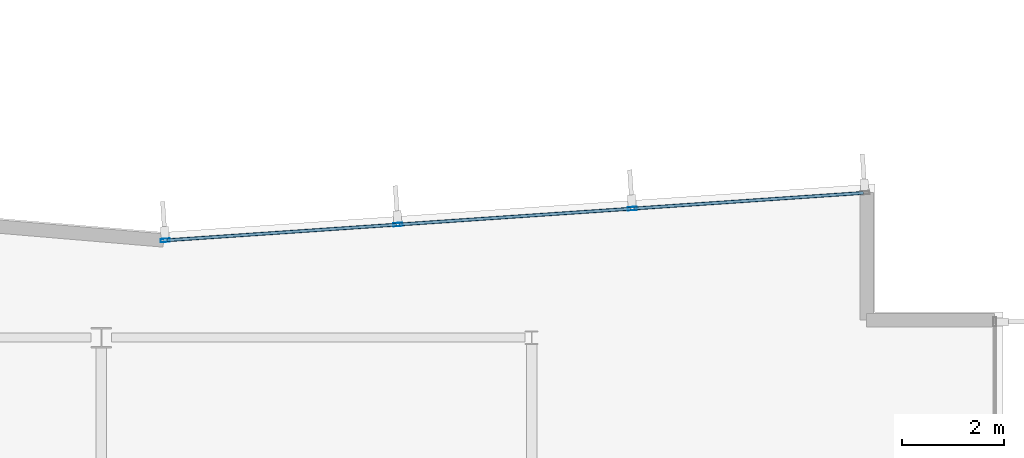
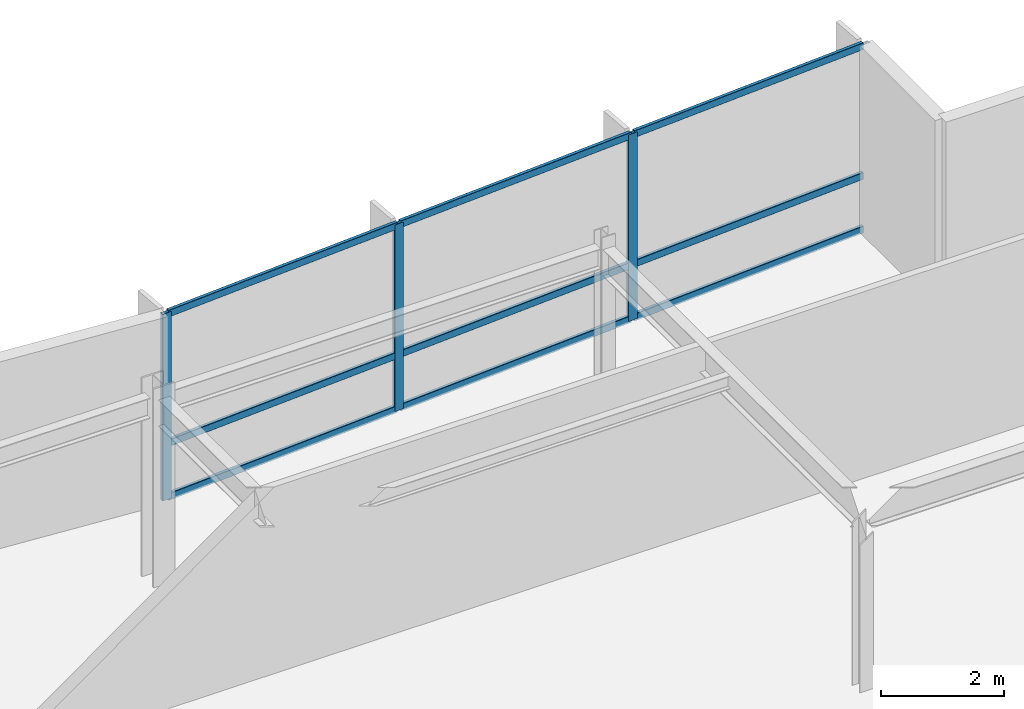
# One storey, part 7 of 16: 12 members, 1 element without a shape of its own.
"""IFC4 building model written with IfcOpenShell, lengths in metres."""

import ifcopenshell
import ifcopenshell.guid

model = None  # the IFC model being written
_history = None  # IfcOwnerHistory: only IFC2X3 demands one
_inside = {}  # id of a spatial element -> (the spatial element, [elements in it])
_under = {}  # id of a project, library or spatial element -> (it, [spatial elements below it])
_declared = {}  # id of a project -> (the project, [libraries it declares])
_typed = {}  # id of a type object -> (the type object, [elements of that type])
_made_of = {}  # id of a material, layer set ... -> (it, [elements and type objects made of it])


def new_model(schema):
    """Start an empty IFC model of exactly this schema.

    Asked for "IFC4X3", IfcOpenShell would pick the latest addendum, in which some entities
    have other attributes; the version numbers below select the first issue.
    IFC2X3 requires an IfcOwnerHistory on every rooted entity: one is made here for all.
    """
    global model, _history
    if schema == "IFC4X3":
        model = ifcopenshell.file(schema_version=(4, 3, 0, 0))
    else:
        model = ifcopenshell.file(schema=schema)
    _inside.clear()
    _under.clear()
    _declared.clear()
    _typed.clear()
    _made_of.clear()
    _history = None
    if model.schema == "IFC2X3":
        org = make("IfcOrganization", Name="unknown")
        user = make(
            "IfcPersonAndOrganization",
            ThePerson=make("IfcPerson", FamilyName="unknown"),
            TheOrganization=org,
        )
        app = make(
            "IfcApplication",
            ApplicationDeveloper=org,
            Version="unknown",
            ApplicationFullName="unknown",
            ApplicationIdentifier="unknown",
        )
        _history = make(
            "IfcOwnerHistory",
            OwningUser=user,
            OwningApplication=app,
            ChangeAction="ADDED",
            CreationDate=0,
        )
    return model


def make(cls, **values):
    """One entity of the class cls with the attributes given. An attribute that is None is left unset."""
    return model.create_entity(
        cls, **{name: value for name, value in values.items() if value is not None}
    )


def rooted(cls, **values):
    """An entity with a GlobalId (a new one), such as an element, a storey or a relation."""
    return make(cls, GlobalId=ifcopenshell.guid.new(), OwnerHistory=_history, **values)


def si_unit(unit_type, name, prefix=None):
    """IfcSIUnit, for example si_unit("LENGTHUNIT", "METRE", prefix="MILLI")."""
    return make("IfcSIUnit", UnitType=unit_type, Prefix=prefix, Name=name)


def assignment(units):
    """IfcUnitAssignment: the units of a project."""
    return None if units is None else make("IfcUnitAssignment", Units=units)


def point(xyz):
    """IfcCartesianPoint."""
    return None if xyz is None else make("IfcCartesianPoint", Coordinates=xyz)


def direction(xyz):
    """IfcDirection."""
    return None if xyz is None else make("IfcDirection", DirectionRatios=xyz)


def frame(location, z_axis=None, x_axis=None):
    """IfcAxis2Placement3D, a coordinate frame: its origin and axes. An axis left out is left unset."""
    return make(
        "IfcAxis2Placement3D",
        Location=point(location),
        Axis=direction(z_axis),
        RefDirection=direction(x_axis),
    )


def frame_2d(location, x_axis=None):
    """IfcAxis2Placement2D, a coordinate frame in the plane: its origin and x axis."""
    return make(
        "IfcAxis2Placement2D", Location=point(location), RefDirection=direction(x_axis)
    )


def origin():
    """The frame at (0, 0, 0) with its axes left unset."""
    return frame((0.0, 0.0, 0.0))


def origin_2d():
    """The frame at (0, 0) in the plane with its x axis left unset."""
    return frame_2d((0.0, 0.0))


def place(relative_to, where):
    """IfcLocalPlacement: puts the frame where relative to a parent placement (None: the world)."""
    return make(
        "IfcLocalPlacement", PlacementRelTo=relative_to, RelativePlacement=where
    )


def context(
    kind, dimensions, precision=None, world=None, true_north=None, identifier=None
):
    """IfcGeometricRepresentationContext, for example the 3D "Model" context."""
    return make(
        "IfcGeometricRepresentationContext",
        ContextIdentifier=identifier,
        ContextType=kind,
        CoordinateSpaceDimension=dimensions,
        Precision=precision,
        WorldCoordinateSystem=world,
        TrueNorth=true_north,
    )


def subcontext(parent, identifier, kind, view, scale=None):
    """IfcGeometricRepresentationSubContext, for example "Body" below "Model"."""
    return make(
        "IfcGeometricRepresentationSubContext",
        ContextIdentifier=identifier,
        ContextType=kind,
        ParentContext=parent,
        TargetScale=scale,
        TargetView=view,
    )


def project(units=None, contexts=None):
    """IfcProject with its units and contexts."""
    return rooted(
        "IfcProject",
        Name="project",
        RepresentationContexts=contexts,
        UnitsInContext=assignment(units),
    )


def spatial(cls, under=None, at=None, **own):
    """A site, building, storey or space (cls), placed at a placement, below another one or the project."""
    s = rooted(cls, ObjectPlacement=at, **own)
    if under is not None:
        _under.setdefault(under.id(), (under, []))[1].append(s)
    return s


def profile(cls, at=None, kind="AREA", **sizes):
    """A parametric profile (cls). Its sizes go by their IFC names, for example OverallWidth=200.0."""
    return make(cls, ProfileType=kind, Position=at, **sizes)


def hollow_rectangle(**sizes):
    """IfcRectangleHollowProfileDef."""
    return profile("IfcRectangleHollowProfileDef", **sizes)


def extrude(swept, where, along, depth):
    """IfcExtrudedAreaSolid: the profile swept, set in the frame where, extruded along a direction by depth."""
    return make(
        "IfcExtrudedAreaSolid",
        SweptArea=swept,
        Position=where,
        ExtrudedDirection=direction(along),
        Depth=depth,
    )


def shape(context_of_items, identifier, shape_type, items):
    """IfcShapeRepresentation: the items that make up one representation, for example the "Body"."""
    return make(
        "IfcShapeRepresentation",
        ContextOfItems=context_of_items,
        RepresentationIdentifier=identifier,
        RepresentationType=shape_type,
        Items=items,
    )


def material(Name=None, Category=None):
    """IfcMaterial."""
    return make("IfcMaterial", Name=Name, Category=Category)


def layer(
    of_material, thickness, ventilated=None, Name=None, Category=None, Priority=None
):
    """IfcMaterialLayer: one layer of a wall or slab, of a material (None: an air gap)."""
    return make(
        "IfcMaterialLayer",
        Material=of_material,
        LayerThickness=thickness,
        IsVentilated=ventilated,
        Name=Name,
        Category=Category,
        Priority=Priority,
    )


def layer_set(layers, Name=None):
    """IfcMaterialLayerSet."""
    return make("IfcMaterialLayerSet", MaterialLayers=layers, LayerSetName=Name)


def material_profile(
    of_material, cross_section, Name=None, Category=None, Priority=None
):
    """IfcMaterialProfile: a cross section and its material."""
    return make(
        "IfcMaterialProfile",
        Name=Name,
        Material=of_material,
        Profile=cross_section,
        Priority=Priority,
        Category=Category,
    )


def profile_set(profiles, Name=None, composite=None):
    """IfcMaterialProfileSet."""
    return make(
        "IfcMaterialProfileSet",
        Name=Name,
        MaterialProfiles=profiles,
        CompositeProfile=composite,
    )


def made_of(thing, what):
    """Note that an element or type object is made of a material, layer set ...; save() writes the relation."""
    if what is not None:
        _made_of.setdefault(what.id(), (what, []))[1].append(thing)
    return thing


def type_object(cls, material=None, **own):
    """A type object (cls), such as IfcWallType, which elements share."""
    return made_of(rooted(cls, **own), material)


def element(
    cls,
    number,
    at=None,
    inside=None,
    cuts=None,
    type_object=None,
    material=None,
    context=None,
    identifier="Body",
    shape_type=None,
    held_by="IfcProductDefinitionShape",
    body=None,
    shapes=None,
    **own,
):
    """One element of the class cls, such as IfcWall. Its Tag is "e" and its number.

    at: its placement. inside: the storey or other place that contains it. cuts: it is an
    opening in that element (IfcRelVoidsElement). A single representation is given by context,
    identifier, shape_type and body (its items); several are given by shapes. held_by: the class
    of the entity that holds the representations. save() writes the other relations.
    """
    e = rooted(cls, Tag="e%d" % number, ObjectPlacement=at, **own)
    if body is not None:
        shapes = [shape(context, identifier, shape_type, body)]
    if shapes is not None:
        e.Representation = make(held_by, Representations=shapes)
    if inside is not None:
        _inside.setdefault(inside.id(), (inside, []))[1].append(e)
    if cuts is not None:
        rooted(
            "IfcRelVoidsElement", RelatingBuildingElement=cuts, RelatedOpeningElement=e
        )
    if type_object is not None:
        _typed.setdefault(type_object.id(), (type_object, []))[1].append(e)
    return made_of(e, material)


def aggregate(whole, parts):
    """IfcRelAggregates: a whole, such as a stair, and the parts it consists of."""
    return rooted("IfcRelAggregates", RelatingObject=whole, RelatedObjects=parts)


def save(model, path):
    """Write the relations noted so far, then the file.

    IfcRelAggregates (storeys below a building ...), IfcRelContainedInSpatialStructure (elements
    in a storey), IfcRelDefinesByType, IfcRelAssociatesMaterial and IfcRelDeclares: one each for
    every whole, place, type object, material and project.
    """
    for whole, parts in _under.values():
        aggregate(whole, parts)
    for where, things in _inside.values():
        rooted(
            "IfcRelContainedInSpatialStructure",
            RelatedElements=things,
            RelatingStructure=where,
        )
    for kind, things in _typed.values():
        rooted("IfcRelDefinesByType", RelatedObjects=things, RelatingType=kind)
    for what, things in _made_of.values():
        rooted("IfcRelAssociatesMaterial", RelatedObjects=things, RelatingMaterial=what)
    for by, libraries in _declared.values():
        rooted("IfcRelDeclares", RelatingContext=by, RelatedDefinitions=libraries)
    model.write(path)


model = new_model("IFC4")

# Units and contexts
model_context = context("Model", 3, precision=1e-05, world=origin(), true_north=direction((0.0, 1.0)))
body_context = subcontext(model_context, "Body", "Model", "MODEL_VIEW")
ifc_project = project(units=[si_unit("LENGTHUNIT", "METRE"), si_unit("AREAUNIT", "SQUARE_METRE"), si_unit("VOLUMEUNIT", "CUBIC_METRE"), si_unit("PLANEANGLEUNIT", "RADIAN"), si_unit("MASSUNIT", "GRAM", prefix="KILO")], contexts=[model_context])

# Site, building, storey
site_placement = place(None, origin())
site = spatial("IfcSite", under=ifc_project, at=site_placement, CompositionType="ELEMENT")
building_placement = place(site_placement, origin())
building = spatial("IfcBuilding", under=site, at=building_placement, Name="Varnakote Quay Hospital", CompositionType="ELEMENT")
storey_placement = place(building_placement, frame((0.0, 0.0, 180.25)))
storey = spatial("IfcBuildingStorey", under=building, at=storey_placement, Name="L44", CompositionType="ELEMENT", Elevation=180.25)

# Curtain wall, members
ifc_material_1 = material(Name="Anodised aluminium 6063-T6 Bronze", Category="aluminium")
ifc_layer = layer(ifc_material_1, 0.219970703125)
ifc_layer_set = layer_set([ifc_layer], Name="Anodised aluminium 6063-T6 Bronze")
curtain_wall_type = type_object("IfcCurtainWallType", Name="CW-SYS-4", PredefinedType="NOTDEFINED", material=ifc_layer_set)
curtain_wall_placement = place(storey_placement, origin())
curtain_wall = element("IfcCurtainWall", 1, at=curtain_wall_placement, inside=storey, type_object=curtain_wall_type, Name="L44 Unitised Bronze Curtain Wall 2", PredefinedType="NOTDEFINED")
ifc_material_2 = material(Name="Anodised aluminium 6063-T6 Bronze", Category="aluminium")
ifc_material_profile_1 = material_profile(ifc_material_2, hollow_rectangle(XDim=0.06494140625, YDim=0.179931640625, WallThickness=0.00390625, InnerFilletRadius=0.00390625, OuterFilletRadius=0.008056640625, at=origin_2d()), Name="CW-MULL-180x65")
ifc_profile_set_1 = profile_set([ifc_material_profile_1], Name="Anodised aluminium 6063-T6 Bronze")
member_type_1 = type_object("IfcMemberType", Name="CW-MULL-180x65", PredefinedType="MULLION", material=ifc_profile_set_1)
member_1_placement = place(storey_placement, frame((43.96484375, 31.317626953125, 0.0), z_axis=(0.0, 0.0, 1.0), x_axis=(0.067841851077, -0.997696087615, 0.0)))
member_1 = element("IfcMember", 2, at=member_1_placement, type_object=member_type_1, Name="-4-L44-2 mullion 2", PredefinedType="MULLION", context=body_context, shape_type="SweptSolid", body=[
    extrude(hollow_rectangle(XDim=0.06494140625, YDim=0.179931640625, WallThickness=0.00390625, InnerFilletRadius=0.00390625, OuterFilletRadius=0.008056640625, at=origin_2d()), origin(), (0.0, 0.0, 1.0), 3.7099609375),
])
member_2_placement = place(storey_placement, frame((39.389892578125, 31.006591796875, 0.0), z_axis=(0.0, 0.0, 1.0), x_axis=(0.067841851077, -0.997696087615, 0.0)))
member_2 = element("IfcMember", 3, at=member_2_placement, type_object=member_type_1, Name="-4-L44-2 mullion 3", PredefinedType="MULLION", context=body_context, shape_type="SweptSolid", body=[
    extrude(hollow_rectangle(XDim=0.06494140625, YDim=0.179931640625, WallThickness=0.00390625, InnerFilletRadius=0.00390625, OuterFilletRadius=0.008056640625, at=origin_2d()), origin(), (0.0, 0.0, 1.0), 3.7099609375),
])
member_3_placement = place(storey_placement, frame((34.84716796875, 30.69775390625, 0.0), z_axis=(0.0, 0.0, 1.0), x_axis=(0.067841851077, -0.997696087615, 0.0)))
member_3 = element("IfcMember", 4, at=member_3_placement, type_object=member_type_1, Name="-4-L44-2 mullion 4", PredefinedType="MULLION", context=body_context, shape_type="SweptSolid", body=[
    extrude(hollow_rectangle(XDim=0.06494140625, YDim=0.179931640625, WallThickness=0.00390625, InnerFilletRadius=0.00390625, OuterFilletRadius=0.008056640625, at=origin_2d()), origin(), (0.0, 0.0, 1.0), 3.7099609375),
])
ifc_material_3 = material(Name="Anodised aluminium 6063-T6 Bronze", Category="aluminium")
ifc_material_profile_2 = material_profile(ifc_material_3, hollow_rectangle(XDim=0.06494140625, YDim=0.139892578125, WallThickness=0.00390625, InnerFilletRadius=0.00390625, OuterFilletRadius=0.007568359375, at=origin_2d()), Name="CW-TRAN-140x65")
ifc_profile_set_2 = profile_set([ifc_material_profile_2], Name="Anodised aluminium 6063-T6 Bronze")
member_type_2 = type_object("IfcMemberType", Name="CW-TRAN-140x65", PredefinedType="USERDEFINED", material=ifc_profile_set_2)
member_4_placement = place(storey_placement, frame((48.47509765625, 31.62451171875, 0.032470703125), z_axis=(-0.997692996523, -0.067887294022, 0.0), x_axis=(0.067887294022, -0.997692996523, 0.0)))
member_4 = element("IfcMember", 5, at=member_4_placement, type_object=member_type_2, Name="-4-L44-2 transom 1.1", ObjectType="TRANSOM", PredefinedType="USERDEFINED", context=body_context, shape_type="SweptSolid", body=[
    extrude(hollow_rectangle(XDim=0.06494140625, YDim=0.139892578125, WallThickness=0.00390625, InnerFilletRadius=0.00390625, OuterFilletRadius=0.007568359375, at=origin_2d()), origin(), (0.0, 0.0, 1.0), 4.488037109375),
])
member_5_placement = place(storey_placement, frame((48.47509765625, 31.62451171875, 1.10009765625), z_axis=(-0.997692996523, -0.067887294022, 0.0), x_axis=(0.067887294022, -0.997692996523, 0.0)))
member_5 = element("IfcMember", 6, at=member_5_placement, type_object=member_type_2, Name="-4-L44-2 transom 1.2", ObjectType="TRANSOM", PredefinedType="USERDEFINED", context=body_context, shape_type="SweptSolid", body=[
    extrude(hollow_rectangle(XDim=0.06494140625, YDim=0.139892578125, WallThickness=0.00390625, InnerFilletRadius=0.00390625, OuterFilletRadius=0.007568359375, at=origin_2d()), origin(), (0.0, 0.0, 1.0), 4.488037109375),
])
member_6_placement = place(storey_placement, frame((48.47509765625, 31.62451171875, 3.677490234375), z_axis=(-0.997692996523, -0.067887294022, 0.0), x_axis=(0.067887294022, -0.997692996523, 0.0)))
member_6 = element("IfcMember", 7, at=member_6_placement, type_object=member_type_2, Name="-4-L44-2 transom 1.3", ObjectType="TRANSOM", PredefinedType="USERDEFINED", context=body_context, shape_type="SweptSolid", body=[
    extrude(hollow_rectangle(XDim=0.06494140625, YDim=0.139892578125, WallThickness=0.00390625, InnerFilletRadius=0.00390625, OuterFilletRadius=0.007568359375, at=origin_2d()), origin(), (0.0, 0.0, 1.0), 4.488037109375),
])
member_7_placement = place(storey_placement, frame((43.932373046875, 31.3154296875, 0.032470703125), z_axis=(-0.997696835235, -0.06783085553, 0.0), x_axis=(0.06783085553, -0.997696835235, 0.0)))
member_7 = element("IfcMember", 8, at=member_7_placement, type_object=member_type_2, Name="-4-L44-2 transom 2.1", ObjectType="TRANSOM", PredefinedType="USERDEFINED", context=body_context, shape_type="SweptSolid", body=[
    extrude(hollow_rectangle(XDim=0.06494140625, YDim=0.139892578125, WallThickness=0.00390625, InnerFilletRadius=0.00390625, OuterFilletRadius=0.007568359375, at=origin_2d()), origin(), (0.0, 0.0, 1.0), 4.520751953125),
])
member_8_placement = place(storey_placement, frame((43.932373046875, 31.3154296875, 1.10009765625), z_axis=(-0.997696835235, -0.06783085553, 0.0), x_axis=(0.06783085553, -0.997696835235, 0.0)))
member_8 = element("IfcMember", 9, at=member_8_placement, type_object=member_type_2, Name="-4-L44-2 transom 2.2", ObjectType="TRANSOM", PredefinedType="USERDEFINED", context=body_context, shape_type="SweptSolid", body=[
    extrude(hollow_rectangle(XDim=0.06494140625, YDim=0.139892578125, WallThickness=0.00390625, InnerFilletRadius=0.00390625, OuterFilletRadius=0.007568359375, at=origin_2d()), origin(), (0.0, 0.0, 1.0), 4.520751953125),
])
member_9_placement = place(storey_placement, frame((43.932373046875, 31.3154296875, 3.677490234375), z_axis=(-0.997696835235, -0.06783085553, 0.0), x_axis=(0.06783085553, -0.997696835235, 0.0)))
member_9 = element("IfcMember", 10, at=member_9_placement, type_object=member_type_2, Name="-4-L44-2 transom 2.3", ObjectType="TRANSOM", PredefinedType="USERDEFINED", context=body_context, shape_type="SweptSolid", body=[
    extrude(hollow_rectangle(XDim=0.06494140625, YDim=0.139892578125, WallThickness=0.00390625, InnerFilletRadius=0.00390625, OuterFilletRadius=0.007568359375, at=origin_2d()), origin(), (0.0, 0.0, 1.0), 4.520751953125),
])
member_10_placement = place(storey_placement, frame((39.357421875, 31.00439453125, 0.032470703125), z_axis=(-0.997696679404, -0.06783314755, 0.0), x_axis=(0.06783314755, -0.997696679404, 0.0)))
member_10 = element("IfcMember", 11, at=member_10_placement, type_object=member_type_2, Name="-4-L44-2 transom 3.1", ObjectType="TRANSOM", PredefinedType="USERDEFINED", context=body_context, shape_type="SweptSolid", body=[
    extrude(hollow_rectangle(XDim=0.06494140625, YDim=0.139892578125, WallThickness=0.00390625, InnerFilletRadius=0.00390625, OuterFilletRadius=0.007568359375, at=origin_2d()), origin(), (0.0, 0.0, 1.0), 4.488037109375),
])
member_11_placement = place(storey_placement, frame((39.357421875, 31.00439453125, 1.10009765625), z_axis=(-0.997696679404, -0.06783314755, 0.0), x_axis=(0.06783314755, -0.997696679404, 0.0)))
member_11 = element("IfcMember", 12, at=member_11_placement, type_object=member_type_2, Name="-4-L44-2 transom 3.2", ObjectType="TRANSOM", PredefinedType="USERDEFINED", context=body_context, shape_type="SweptSolid", body=[
    extrude(hollow_rectangle(XDim=0.06494140625, YDim=0.139892578125, WallThickness=0.00390625, InnerFilletRadius=0.00390625, OuterFilletRadius=0.007568359375, at=origin_2d()), origin(), (0.0, 0.0, 1.0), 4.488037109375),
])
member_12_placement = place(storey_placement, frame((39.357421875, 31.00439453125, 3.677490234375), z_axis=(-0.997696679404, -0.06783314755, 0.0), x_axis=(0.06783314755, -0.997696679404, 0.0)))
member_12 = element("IfcMember", 13, at=member_12_placement, type_object=member_type_2, Name="-4-L44-2 transom 3.3", ObjectType="TRANSOM", PredefinedType="USERDEFINED", context=body_context, shape_type="SweptSolid", body=[
    extrude(hollow_rectangle(XDim=0.06494140625, YDim=0.139892578125, WallThickness=0.00390625, InnerFilletRadius=0.00390625, OuterFilletRadius=0.007568359375, at=origin_2d()), origin(), (0.0, 0.0, 1.0), 4.488037109375),
])
aggregate(curtain_wall, [member_1, member_2, member_3, member_4, member_5, member_6, member_7, member_8, member_9, member_10, member_11, member_12])

save(model, "model.ifc")
